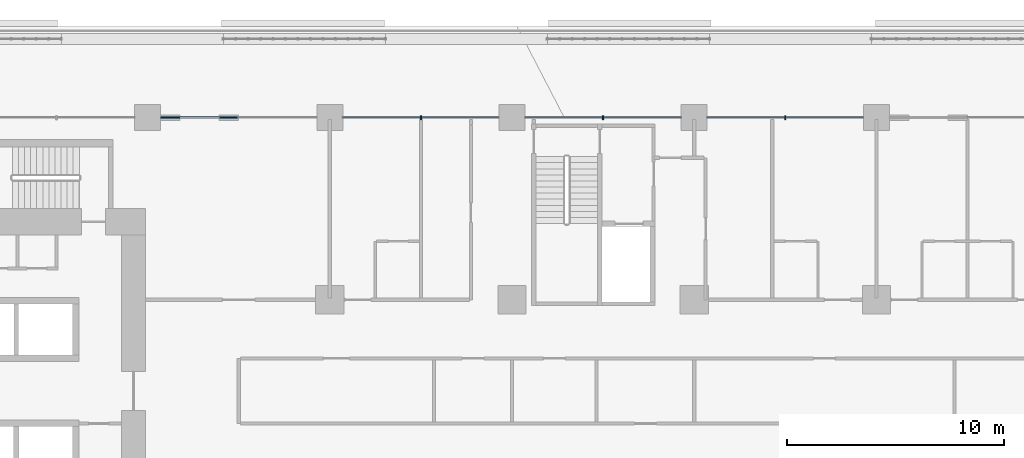
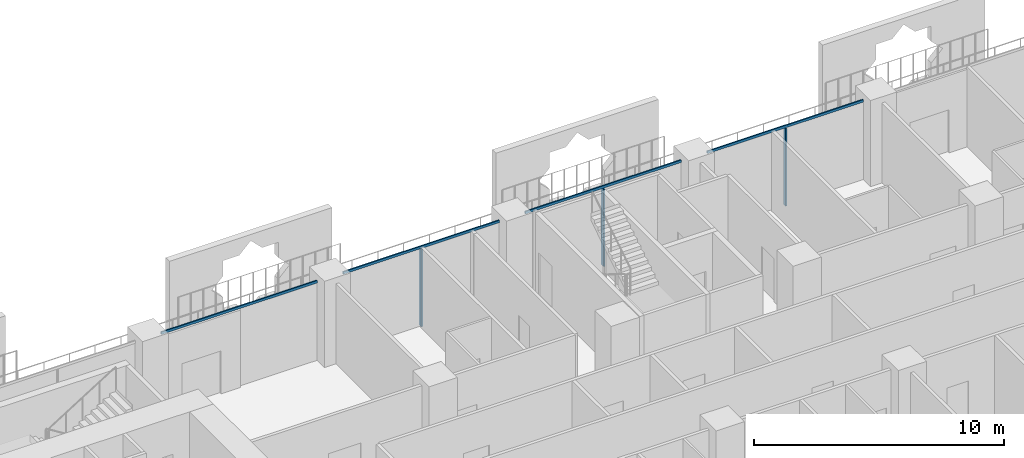
# One storey, part 9 of 28: 7 members, 1 element without a shape of its own.
"""IFC4 building model written with IfcOpenShell, lengths in metres."""

from ifc_helpers import new_model, si_unit, direction, frame, origin, origin_2d, place, context, subcontext, project, spatial, rectangle, extrude, material, layer, layer_set, material_profile, profile_set, type_object, element, aggregate, save


model = new_model("IFC4")

# Units and contexts
model_context = context("Model", 3, precision=1e-05, world=origin(), true_north=direction((0.0, 1.0)))
body_context = subcontext(model_context, "Body", "Model", "MODEL_VIEW")
ifc_project = project(units=[si_unit("LENGTHUNIT", "METRE"), si_unit("AREAUNIT", "SQUARE_METRE"), si_unit("VOLUMEUNIT", "CUBIC_METRE"), si_unit("PLANEANGLEUNIT", "RADIAN"), si_unit("MASSUNIT", "GRAM", prefix="KILO")], contexts=[model_context])

# Site, building, storey
site_placement = place(None, origin())
site = spatial("IfcSite", under=ifc_project, at=site_placement, CompositionType="ELEMENT")
building_placement = place(site_placement, origin())
building = spatial("IfcBuilding", under=site, at=building_placement, Name="Kawkab Arch Medical Tower", CompositionType="ELEMENT")
storey_placement = place(building_placement, frame((0.0, 0.0, 68.60009765625)))
storey = spatial("IfcBuildingStorey", under=building, at=storey_placement, Name="L15", CompositionType="ELEMENT", Elevation=68.60009765625)

# Curtain wall, members
ifc_material_1 = material(Name="Bronze anodised aluminium curtain wall frame", Category="aluminium")
ifc_layer = layer(ifc_material_1, 0.159912109375)
ifc_layer_set = layer_set([ifc_layer], Name="Bronze anodised aluminium curtain wall frame")
curtain_wall_type = type_object("IfcCurtainWallType", Name="CW1 ward curtain wall", PredefinedType="NOTDEFINED", material=ifc_layer_set)
curtain_wall_placement = place(storey_placement, origin())
curtain_wall = element("IfcCurtainWall", 1, at=curtain_wall_placement, inside=storey, type_object=curtain_wall_type, Name="CW1 Ward curtain wall R11", PredefinedType="NOTDEFINED")
ifc_material_2 = material(Name="Bronze anodised aluminium curtain wall frame", Category="aluminium")
ifc_material_profile_1 = material_profile(ifc_material_2, rectangle(XDim=0.179931640625, YDim=0.06005859375, at=origin_2d()), Name="AL 60x180")
ifc_profile_set_1 = profile_set([ifc_material_profile_1], Name="Bronze anodised aluminium curtain wall frame")
member_type_1 = type_object("IfcMemberType", Name="CW1 mullion 60 x 180", PredefinedType="MULLION", material=ifc_profile_set_1)
member_1_placement = place(storey_placement, frame((54.60009765625, 0.0, 0.0), z_axis=(0.0, 0.0, 1.0), x_axis=(0.0, -1.0, 0.0)))
member_1 = element("IfcMember", 2, at=member_1_placement, type_object=member_type_1, Name="CW1 mullion 3.1", PredefinedType="MULLION", context=body_context, shape_type="SweptSolid", body=[
    extrude(rectangle(XDim=0.179931640625, YDim=0.06005859375, at=origin_2d()), origin(), (0.0, 0.0, 1.0), 3.77978515625),
])
member_2_placement = place(storey_placement, frame((46.199951171875, 0.0, 0.0), z_axis=(0.0, 0.0, 1.0), x_axis=(0.0, -1.0, 0.0)))
member_2 = element("IfcMember", 3, at=member_2_placement, type_object=member_type_1, Name="CW1 mullion 4.1", PredefinedType="MULLION", context=body_context, shape_type="SweptSolid", body=[
    extrude(rectangle(XDim=0.179931640625, YDim=0.06005859375, at=origin_2d()), origin(), (0.0, 0.0, 1.0), 3.77978515625),
])
member_3_placement = place(storey_placement, frame((37.800048828125, 0.0, 0.0), z_axis=(0.0, 0.0, 1.0), x_axis=(0.0, -1.0, 0.0)))
member_3 = element("IfcMember", 4, at=member_3_placement, type_object=member_type_1, Name="CW1 mullion 5.1", PredefinedType="MULLION", context=body_context, shape_type="SweptSolid", body=[
    extrude(rectangle(XDim=0.179931640625, YDim=0.06005859375, at=origin_2d()), origin(), (0.0, 0.0, 1.0), 3.77978515625),
])
ifc_material_3 = material(Name="Bronze anodised aluminium curtain wall frame", Category="aluminium")
ifc_material_profile_2 = material_profile(ifc_material_3, rectangle(XDim=0.06005859375, YDim=0.1201171875, at=origin_2d()), Name="AL 60x120")
ifc_profile_set_2 = profile_set([ifc_material_profile_2], Name="Bronze anodised aluminium curtain wall frame")
member_type_2 = type_object("IfcMemberType", Name="CW1 transom 120 x 60", PredefinedType="USERDEFINED", material=ifc_profile_set_2)
member_4_placement = place(storey_placement, frame((58.199951171875, 0.0, 3.83984375), z_axis=(-1.0, 0.0, 0.0), x_axis=(0.0, -1.0, 0.0)))
member_4 = element("IfcMember", 5, at=member_4_placement, type_object=member_type_2, Name="CW1 transom 3", ObjectType="TRANSOM", PredefinedType="USERDEFINED", context=body_context, shape_type="SweptSolid", body=[
    extrude(rectangle(XDim=0.06005859375, YDim=0.1201171875, at=origin_2d()), origin(), (0.0, 0.0, 1.0), 7.199951171875),
])
member_5_placement = place(storey_placement, frame((49.800048828125, 0.0, 3.83984375), z_axis=(-1.0, 0.0, 0.0), x_axis=(0.0, -1.0, 0.0)))
member_5 = element("IfcMember", 6, at=member_5_placement, type_object=member_type_2, Name="CW1 transom 4", ObjectType="TRANSOM", PredefinedType="USERDEFINED", context=body_context, shape_type="SweptSolid", body=[
    extrude(rectangle(XDim=0.06005859375, YDim=0.1201171875, at=origin_2d()), origin(), (0.0, 0.0, 1.0), 7.199951171875),
])
member_6_placement = place(storey_placement, frame((41.39990234375, 0.0, 3.83984375), z_axis=(-1.0, 0.0, 0.0), x_axis=(0.0, -1.0, 0.0)))
member_6 = element("IfcMember", 7, at=member_6_placement, type_object=member_type_2, Name="CW1 transom 5", ObjectType="TRANSOM", PredefinedType="USERDEFINED", context=body_context, shape_type="SweptSolid", body=[
    extrude(rectangle(XDim=0.06005859375, YDim=0.1201171875, at=origin_2d()), origin(), (0.0, 0.0, 1.0), 7.199951171875),
])
member_7_placement = place(storey_placement, frame((33.0, 0.0, 3.83984375), z_axis=(-1.0, 0.0, 0.0), x_axis=(0.0, -1.0, 0.0)))
member_7 = element("IfcMember", 8, at=member_7_placement, type_object=member_type_2, Name="CW1 transom 6", ObjectType="TRANSOM", PredefinedType="USERDEFINED", context=body_context, shape_type="SweptSolid", body=[
    extrude(rectangle(XDim=0.06005859375, YDim=0.1201171875, at=origin_2d()), origin(), (0.0, 0.0, 1.0), 7.199951171875),
])
aggregate(curtain_wall, [member_4, member_1, member_5, member_2, member_6, member_3, member_7])

save(model, "model.ifc")
